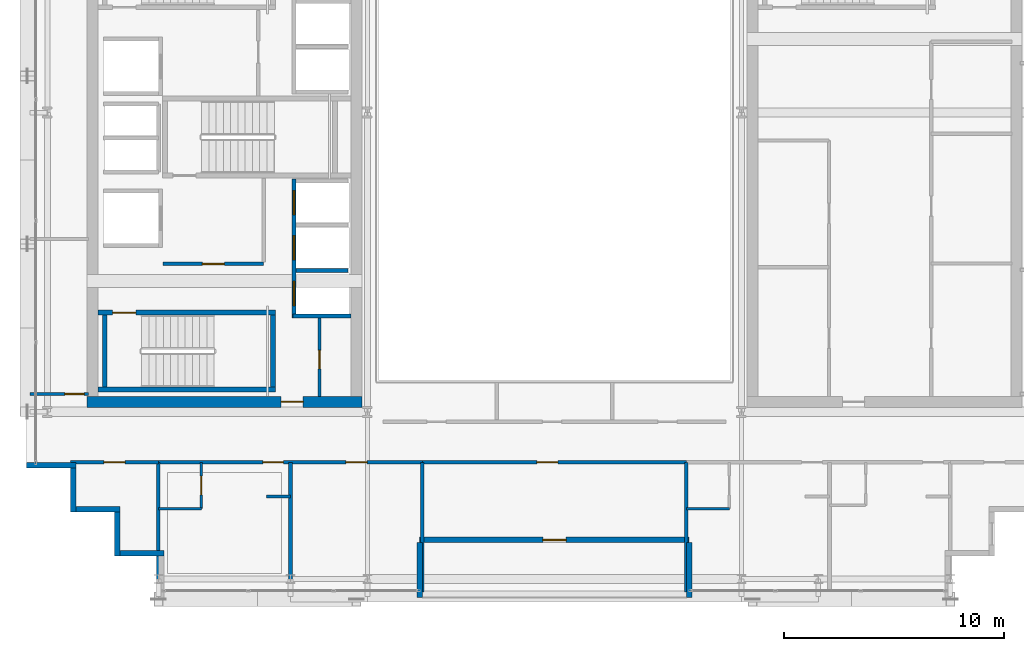
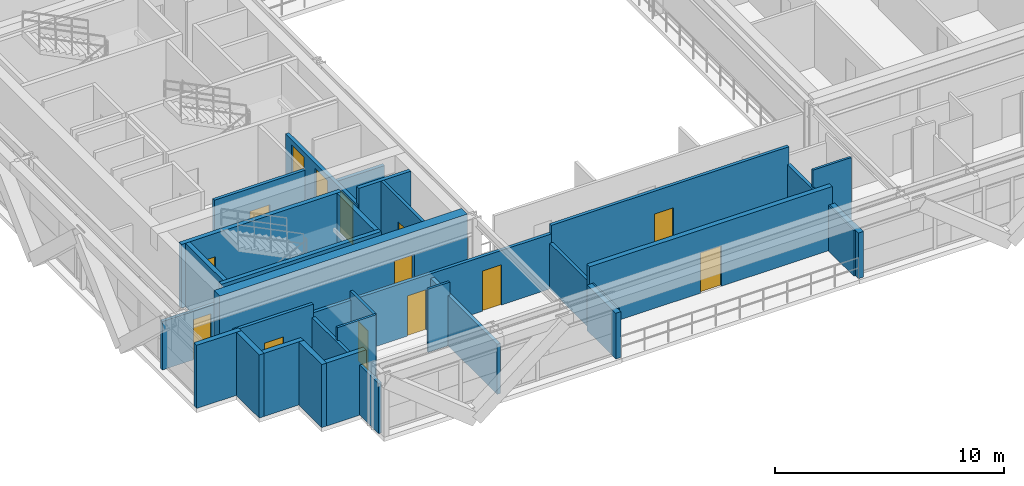
# One storey, part 24 of 32: 30 walls, 14 doors, 14 openings.
"""IFC4 building model written with IfcOpenShell, lengths in metres."""

from ifc_helpers import new_model, si_unit, direction, frame, frame_2d, origin, place, context, subcontext, project, spatial, rectangle, extrude, source, transform, mapped, material, layer, layer_set, type_object, element, fill, save


model = new_model("IFC4")

# Units and contexts
model_context = context("Model", 3, precision=1e-05, world=origin(), true_north=direction((0.0, 1.0)))
body_context = subcontext(model_context, "Body", "Model", "MODEL_VIEW")
ifc_project = project(units=[si_unit("LENGTHUNIT", "METRE"), si_unit("AREAUNIT", "SQUARE_METRE"), si_unit("VOLUMEUNIT", "CUBIC_METRE"), si_unit("PLANEANGLEUNIT", "RADIAN"), si_unit("MASSUNIT", "GRAM", prefix="KILO")], contexts=[model_context])

# Site, building, storey
site_placement = place(None, origin())
site = spatial("IfcSite", under=ifc_project, at=site_placement, CompositionType="ELEMENT")
building_placement = place(site_placement, origin())
building = spatial("IfcBuilding", under=site, at=building_placement, Name="Ocotamira Hotel", CompositionType="ELEMENT")
storey_placement = place(building_placement, frame((0.0, 0.0, 213.60009765625)))
storey = spatial("IfcBuildingStorey", under=building, at=storey_placement, Name="L54", CompositionType="ELEMENT", Elevation=213.60009765625)

# Wall, opening, door
ifc_material_1 = material(Name="Concrete C50/60", Category="concrete")
ifc_layer_1 = layer(ifc_material_1, 0.5)
ifc_layer_set_1 = layer_set([ifc_layer_1], Name="Concrete C50/60")
wall_type_1 = type_object("IfcWallType", Name="WL-CORE-500", PredefinedType="SHEAR", material=ifc_layer_set_1)
wall_1_placement = place(storey_placement, frame((10.75, 15.0, 0.0), z_axis=(0.0, 0.0, 1.0), x_axis=(1.0, 0.0, 0.0)))
wall_1 = element("IfcWall", 1, at=wall_1_placement, inside=storey, type_object=wall_type_1, Name="L54 Shear Core Wall WCORE-S", PredefinedType="SHEAR", context=body_context, shape_type="SweptSolid", body=[
    extrude(rectangle(XDim=12.5, YDim=0.5, at=frame_2d((6.25, 0.0))), origin(), (0.0, 0.0, 1.0), 3.369873046875),
])
opening_1_placement = place(wall_1_placement, frame((8.830078125, 0.0, 0.0)))
opening_1 = element("IfcOpeningElement", 2, at=opening_1_placement, cuts=wall_1, Name="Opening D-FR2", PredefinedType="OPENING", context=body_context, shape_type="SweptSolid", body=[
    extrude(rectangle(XDim=1.0, YDim=2.14990234375, at=frame_2d((0.5, 1.074951171875))), frame((0.0, 0.260009765625, 0.0), z_axis=(0.0, -1.0, 0.0), x_axis=(1.0, 0.0, 0.0)), (0.0, 0.0, 1.0), 0.52001953125),
])
ifc_material_2 = material(Name="Fire-rated acoustic timber-veneer door", Category="wood")
door_type_1 = type_object("IfcDoorType", Name="DR-FIRE-1000", OperationType="NOTDEFINED", PredefinedType="DOOR", material=ifc_material_2)
shared_shape_1 = source(origin(), body_context, "Body", "SweptSolid", [
    extrude(rectangle(XDim=1.0, YDim=2.14990234375, at=frame_2d((0.5, 1.074951171875))), frame((0.0, 0.02490234375, 0.0), z_axis=(0.0, -1.0, 0.0), x_axis=(1.0, 0.0, 0.0)), (0.0, 0.0, 1.0), 0.050048828125),
])
door_1_placement = place(opening_1_placement, origin())
door_1 = element("IfcDoor", 3, at=door_1_placement, inside=storey, type_object=door_type_1, Name="L54 Door ID-L54-WLOB-S-D [ID-L54-WLOB-S-D]", OperationType="SINGLE_SWING_LEFT", OverallHeight=2.14990234375, OverallWidth=1.0, PredefinedType="DOOR", context=body_context, shape_type="MappedRepresentation", body=[
    mapped(shared_shape_1, transform((0.0, 0.0, 0.0), scale=1.0)),
])
fill(opening_1, door_1)

# Walls
ifc_material_3 = material(Name="Precast concrete C45/55", Category="concrete")
ifc_layer_2 = layer(ifc_material_3, 0.25)
ifc_layer_set_2 = layer_set([ifc_layer_2], Name="Precast concrete C45/55")
wall_type_2 = type_object("IfcWallType", Name="WL-EXT-SER-250", PredefinedType="SOLIDWALL", material=ifc_layer_set_2)
wall_2_placement = place(storey_placement, frame((8.0, 12.125, 0.0), z_axis=(0.0, 0.0, 1.0), x_axis=(1.0, 0.0, 0.0)))
element("IfcWall", 4, at=wall_2_placement, inside=storey, type_object=wall_type_2, Name="L54 Serrated Corner Wall 19", PredefinedType="SOLIDWALL", context=body_context, shape_type="SweptSolid", body=[
    extrude(rectangle(XDim=2.25, YDim=0.25, at=frame_2d((1.125, 0.0))), origin(), (0.0, 0.0, 1.0), 3.369873046875),
])
for number, where, z_axis, x_axis, name in (
    (5, (10.125, 12.0, 0.0), (0.0, 0.0, 1.0), (0.0, -1.0, 0.0), "L54 Serrated Corner Wall 20"),
    (6, (10.25, 10.125, 0.0), (0.0, 0.0, 1.0), (1.0, 0.0, 0.0), "L54 Serrated Corner Wall 21"),
    (7, (12.125, 10.0, 0.0), (0.0, 0.0, 1.0), (0.0, -1.0, 0.0), "L54 Serrated Corner Wall 22"),
    (8, (12.25, 8.125, 0.0), (0.0, 0.0, 1.0), (1.0, 0.0, 0.0), "L54 Serrated Corner Wall 23"),
):
    element("IfcWall", number, at=place(storey_placement, frame(where, z_axis=z_axis, x_axis=x_axis)), inside=storey, type_object=wall_type_2, Name=name, PredefinedType="SOLIDWALL", context=body_context, shape_type="SweptSolid", body=[
        extrude(rectangle(XDim=2.0, YDim=0.25, at=frame_2d((1.0, 0.0))), origin(), (0.0, 0.0, 1.0), 3.369873046875),
    ])

# Wall, opening, door
wall_3_placement = place(storey_placement, frame((25.875, 8.72509765625, 0.0), z_axis=(0.0, 0.0, 1.0), x_axis=(1.0, 0.0, 0.0)))
wall_3 = element("IfcWall", 9, at=wall_3_placement, inside=storey, type_object=wall_type_2, Name="L54 Sky Terrace Back Wall 1", PredefinedType="SOLIDWALL", context=body_context, shape_type="SweptSolid", body=[
    extrude(rectangle(XDim=12.25, YDim=0.25, at=frame_2d((6.125, 0.0))), origin(), (0.0, 0.0, 1.0), 3.369873046875),
])
opening_2_placement = place(wall_3_placement, frame((5.60009765625, 0.0, 0.0)))
opening_2 = element("IfcOpeningElement", 10, at=opening_2_placement, cuts=wall_3, Name="Opening ED-3", PredefinedType="OPENING", context=body_context, shape_type="SweptSolid", body=[
    extrude(rectangle(XDim=1.050048828125, YDim=2.14990234375, at=frame_2d((0.52490234375, 1.074951171875))), frame((0.0, 0.135009765625, 0.0), z_axis=(0.0, -1.0, 0.0), x_axis=(1.0, 0.0, 0.0)), (0.0, 0.0, 1.0), 0.27001953125),
])
ifc_material_4 = material(Name="Thermally broken aluminium glazed door", Category="aluminium")
door_type_2 = type_object("IfcDoorType", Name="DR-TERR-1050", OperationType="NOTDEFINED", PredefinedType="DOOR", material=ifc_material_4)
shared_shape_2 = source(origin(), body_context, "Body", "SweptSolid", [
    extrude(rectangle(XDim=1.050048828125, YDim=2.14990234375, at=frame_2d((0.52490234375, 1.074951171875))), frame((0.0, 0.02490234375, 0.0), z_axis=(0.0, -1.0, 0.0), x_axis=(1.0, 0.0, 0.0)), (0.0, 0.0, 1.0), 0.050048828125),
])
door_2_placement = place(opening_2_placement, origin())
door_2 = element("IfcDoor", 11, at=door_2_placement, inside=storey, type_object=door_type_2, Name="L54 Sky Terrace Access Door 1 [ED-BAL-L54-1]", OperationType="SINGLE_SWING_RIGHT", OverallHeight=2.14990234375, OverallWidth=1.050048828125, PredefinedType="DOOR", context=body_context, shape_type="MappedRepresentation", body=[
    mapped(shared_shape_2, transform((0.0, 0.0, 0.0), scale=1.0)),
])
fill(opening_2, door_2)

# Walls
for number, where, z_axis, x_axis, name in (
    (12, (25.875, 6.10009765625, 0.0), (0.0, 0.0, 1.0), (0.0, 1.0, 0.0), "L54 Sky Terrace Return Wall 1L"),
    (13, (38.125, 6.10009765625, 0.0), (0.0, 0.0, 1.0), (0.0, 1.0, 0.0), "L54 Sky Terrace Return Wall 1R"),
):
    element("IfcWall", number, at=place(storey_placement, frame(where, z_axis=z_axis, x_axis=x_axis)), inside=storey, type_object=wall_type_2, Name=name, PredefinedType="SOLIDWALL", context=body_context, shape_type="SweptSolid", body=[
        extrude(rectangle(XDim=2.5, YDim=0.25, at=frame_2d((1.25, 0.0))), origin(), (0.0, 0.0, 1.0), 2.44287109375),
    ])

# Wall, opening, door
ifc_material_5 = material(Name="Acoustic double-layer fire gypsum board partition", Category="gypsum")
ifc_layer_3 = layer(ifc_material_5, 0.159912109375)
ifc_layer_set_3 = layer_set([ifc_layer_3], Name="Acoustic double-layer fire gypsum board partition")
wall_type_3 = type_object("IfcWallType", Name="WL-FIRE-160", PredefinedType="PARTITIONING", material=ifc_layer_set_3)
wall_4_placement = place(storey_placement, frame((14.199951171875, 21.27001953125, 0.0), z_axis=(0.0, 0.0, 1.0), x_axis=(1.0, 0.0, 0.0)))
wall_4 = element("IfcWall", 14, at=wall_4_placement, inside=storey, type_object=wall_type_3, Name="L54 Interior Wall PW-L54-FSAE1-S", PredefinedType="PARTITIONING", context=body_context, shape_type="SweptSolid", body=[
    extrude(rectangle(XDim=4.580078125, YDim=0.159912109375, at=frame_2d((2.2900390625, 0.0))), origin(), (0.0, 0.0, 1.0), 3.369873046875),
])
opening_3_placement = place(wall_4_placement, frame((1.800048828125, 0.0, 0.0)))
opening_3 = element("IfcOpeningElement", 15, at=opening_3_placement, cuts=wall_4, Name="Opening D-FR2", PredefinedType="OPENING", context=body_context, shape_type="SweptSolid", body=[
    extrude(rectangle(XDim=1.0, YDim=2.14990234375, at=frame_2d((0.5, 1.074951171875))), frame((0.0, 0.08984375, 0.0), z_axis=(0.0, -1.0, 0.0), x_axis=(1.0, 0.0, 0.0)), (0.0, 0.0, 1.0), 0.179931640625),
])
door_3_placement = place(opening_3_placement, origin())
door_3 = element("IfcDoor", 16, at=door_3_placement, inside=storey, type_object=door_type_1, Name="L54 Door ID-L54-FSAE1-D [ID-L54-FSAE1-D]", OperationType="SINGLE_SWING_LEFT", OverallHeight=2.14990234375, OverallWidth=1.0, PredefinedType="DOOR", context=body_context, shape_type="MappedRepresentation", body=[
    mapped(shared_shape_1, transform((0.0, 0.0, 0.0), scale=1.0)),
])
fill(opening_3, door_3)

wall_5_placement = place(storey_placement, frame((10.0, 12.25, 0.0), z_axis=(0.0, 0.0, 1.0), x_axis=(1.0, 0.0, 0.0)))
wall_5 = element("IfcWall", 17, at=wall_5_placement, inside=storey, type_object=wall_type_3, Name="L54 Interior Wall PW-L54-Z3F-CSW-CW", PredefinedType="PARTITIONING", context=body_context, shape_type="SweptSolid", body=[
    extrude(rectangle(XDim=4.0, YDim=0.159912109375, at=frame_2d((2.0, 0.0))), origin(), (0.0, 0.0, 1.0), 3.369873046875),
])
opening_4_placement = place(wall_5_placement, frame((1.52001953125, 0.0, 0.0)))
opening_4 = element("IfcOpeningElement", 18, at=opening_4_placement, cuts=wall_5, Name="Opening D-SV4", PredefinedType="OPENING", context=body_context, shape_type="SweptSolid", body=[
    extrude(rectangle(XDim=0.9599609375, YDim=2.14990234375, at=frame_2d((0.47998046875, 1.074951171875))), frame((0.0, 0.08984375, 0.0), z_axis=(0.0, -1.0, 0.0), x_axis=(1.0, 0.0, 0.0)), (0.0, 0.0, 1.0), 0.179931640625),
])
ifc_material_6 = material(Name="Fire-rated accessible walnut salon door", Category="wood")
door_type_3 = type_object("IfcDoorType", Name="DR-SERV-960", OperationType="NOTDEFINED", PredefinedType="DOOR", material=ifc_material_6)
shared_shape_3 = source(origin(), body_context, "Body", "SweptSolid", [
    extrude(rectangle(XDim=0.9599609375, YDim=2.14990234375, at=frame_2d((0.47998046875, 1.074951171875))), frame((0.0, 0.02490234375, 0.0), z_axis=(0.0, -1.0, 0.0), x_axis=(1.0, 0.0, 0.0)), (0.0, 0.0, 1.0), 0.050048828125),
])
door_4_placement = place(opening_4_placement, origin())
door_4 = element("IfcDoor", 19, at=door_4_placement, inside=storey, type_object=door_type_3, Name="L54 Door ID-L54-Z3F-CSW-CD [ID-L54-Z3F-CSW-CD]", OperationType="SINGLE_SWING_LEFT", OverallHeight=2.14990234375, OverallWidth=0.9599609375, PredefinedType="DOOR", context=body_context, shape_type="MappedRepresentation", body=[
    mapped(shared_shape_3, transform((0.0, 0.0, 0.0), scale=1.0)),
])
fill(opening_4, door_4)

# Wall, openings, doors
wall_6_placement = place(storey_placement, frame((14.0, 12.25, 0.0), z_axis=(0.0, 0.0, 1.0), x_axis=(1.0, 0.0, 0.0)))
wall_6 = element("IfcWall", 20, at=wall_6_placement, inside=storey, type_object=wall_type_3, Name="L54 Interior Wall PW-L54-Z3FSW-CORRW", PredefinedType="PARTITIONING", context=body_context, shape_type="SweptSolid", body=[
    extrude(rectangle(XDim=12.0, YDim=0.159912109375, at=frame_2d((6.0, 0.0))), origin(), (0.0, 0.0, 1.0), 2.912841796875),
])
opening_5_placement = place(wall_6_placement, frame((4.739990234375, 0.0, 0.0)))
opening_5 = element("IfcOpeningElement", 21, at=opening_5_placement, cuts=wall_6, Name="Opening D-GR1", PredefinedType="OPENING", context=body_context, shape_type="SweptSolid", body=[
    extrude(rectangle(XDim=0.93994140625, YDim=2.14990234375, at=frame_2d((0.469970703125, 1.074951171875))), frame((0.0, 0.08984375, 0.0), z_axis=(0.0, -1.0, 0.0), x_axis=(1.0, 0.0, 0.0)), (0.0, 0.0, 1.0), 0.179931640625),
])
opening_6_placement = place(wall_6_placement, frame((8.52001953125, 0.0, 0.0)))
opening_6 = element("IfcOpeningElement", 22, at=opening_6_placement, cuts=wall_6, Name="Opening D-SV4", PredefinedType="OPENING", context=body_context, shape_type="SweptSolid", body=[
    extrude(rectangle(XDim=0.9599609375, YDim=2.14990234375, at=frame_2d((0.47998046875, 1.074951171875))), frame((0.0, 0.08984375, 0.0), z_axis=(0.0, -1.0, 0.0), x_axis=(1.0, 0.0, 0.0)), (0.0, 0.0, 1.0), 0.179931640625),
])
door_5_placement = place(opening_6_placement, origin())
door_5 = element("IfcDoor", 23, at=door_5_placement, inside=storey, type_object=door_type_3, Name="L54 Door ID-L54-Z3FSW-AMD2 [ID-L54-Z3FSW-AMD2]", OperationType="SINGLE_SWING_RIGHT", OverallHeight=2.14990234375, OverallWidth=0.9599609375, PredefinedType="DOOR", context=body_context, shape_type="MappedRepresentation", body=[
    mapped(shared_shape_3, transform((0.0, 0.0, 0.0), scale=1.0)),
])
fill(opening_6, door_5)
ifc_material_7 = material(Name="Solid-core walnut suite entrance fire door", Category="wood")
door_type_4 = type_object("IfcDoorType", Name="DR-GUEST-940", OperationType="NOTDEFINED", PredefinedType="DOOR", material=ifc_material_7)
shared_shape_4 = source(origin(), body_context, "Body", "SweptSolid", [
    extrude(rectangle(XDim=0.93994140625, YDim=2.14990234375, at=frame_2d((0.469970703125, 1.074951171875))), frame((0.0, 0.02490234375, 0.0), z_axis=(0.0, -1.0, 0.0), x_axis=(1.0, 0.0, 0.0)), (0.0, 0.0, 1.0), 0.050048828125),
])
door_6_placement = place(opening_5_placement, origin())
door_6 = element("IfcDoor", 24, at=door_6_placement, inside=storey, type_object=door_type_4, Name="L54 Door ID-L54-Z3FSW-RMD1 [ID-L54-Z3FSW-RMD1]", OperationType="SINGLE_SWING_LEFT", OverallHeight=2.14990234375, OverallWidth=0.93994140625, PredefinedType="DOOR", context=body_context, shape_type="MappedRepresentation", body=[
    mapped(shared_shape_4, transform((0.0, 0.0, 0.0), scale=1.0)),
])
fill(opening_5, door_6)

# Wall, opening, door
wall_7_placement = place(storey_placement, frame((26.0, 12.25, 0.0), z_axis=(0.0, 0.0, 1.0), x_axis=(1.0, 0.0, 0.0)))
wall_7 = element("IfcWall", 25, at=wall_7_placement, inside=storey, type_object=wall_type_3, Name="L54 Interior Wall PW-L54-Z3F-TSALN", PredefinedType="PARTITIONING", context=body_context, shape_type="SweptSolid", body=[
    extrude(rectangle(XDim=12.0, YDim=0.159912109375, at=frame_2d((6.0, 0.0))), origin(), (0.0, 0.0, 1.0), 3.369873046875),
])
opening_7_placement = place(wall_7_placement, frame((5.199951171875, 0.0, 0.0)))
opening_7 = element("IfcOpeningElement", 26, at=opening_7_placement, cuts=wall_7, Name="Opening D-SV4", PredefinedType="OPENING", context=body_context, shape_type="SweptSolid", body=[
    extrude(rectangle(XDim=0.9599609375, YDim=2.14990234375, at=frame_2d((0.47998046875, 1.074951171875))), frame((0.0, 0.08984375, 0.0), z_axis=(0.0, -1.0, 0.0), x_axis=(1.0, 0.0, 0.0)), (0.0, 0.0, 1.0), 0.179931640625),
])
door_7_placement = place(opening_7_placement, origin())
door_7 = element("IfcDoor", 27, at=door_7_placement, inside=storey, type_object=door_type_3, Name="L54 Door ID-L54-Z3F-TSALD [ID-L54-Z3F-TSALD]", OperationType="SINGLE_SWING_LEFT", OverallHeight=2.14990234375, OverallWidth=0.9599609375, PredefinedType="DOOR", context=body_context, shape_type="MappedRepresentation", body=[
    mapped(shared_shape_3, transform((0.0, 0.0, 0.0), scale=1.0)),
])
fill(opening_7, door_7)

ifc_material_8 = material(Name="Moisture-resistant en-suite tile and gypsum partition", Category="gypsum")
ifc_layer_4 = layer(ifc_material_8, 0.1201171875)
ifc_layer_set_4 = layer_set([ifc_layer_4], Name="Moisture-resistant en-suite tile and gypsum partition")
wall_type_4 = type_object("IfcWallType", Name="WL-PART-120", PredefinedType="PARTITIONING", material=ifc_layer_set_4)
wall_8_placement = place(storey_placement, frame((15.949951171875, 10.14990234375, 0.0), z_axis=(0.0, 0.0, 1.0), x_axis=(0.0, 1.0, 0.0)))
wall_8 = element("IfcWall", 28, at=wall_8_placement, inside=storey, type_object=wall_type_4, Name="L54 Interior Wall PW-L54-Z3FSW-BAE1", PredefinedType="PARTITIONING", context=body_context, shape_type="SweptSolid", body=[
    extrude(rectangle(XDim=2.10009765625, YDim=0.1201171875, at=frame_2d((1.050048828125, 0.0))), origin(), (0.0, 0.0, 1.0), 3.369873046875),
])
opening_8_placement = place(wall_8_placement, frame((0.6201171875, 0.0, 0.0)))
opening_8 = element("IfcOpeningElement", 29, at=opening_8_placement, cuts=wall_8, Name="Opening D-BA1", PredefinedType="OPENING", context=body_context, shape_type="SweptSolid", body=[
    extrude(rectangle(XDim=0.860107421875, YDim=2.10009765625, at=frame_2d((0.43017578125, 1.050048828125))), frame((0.0, 0.070068359375, 0.0), z_axis=(0.0, -1.0, 0.0), x_axis=(1.0, 0.0, 0.0)), (0.0, 0.0, 1.0), 0.14013671875),
])
ifc_material_9 = material(Name="Moisture-sealed en-suite timber door", Category="wood")
door_type_5 = type_object("IfcDoorType", Name="DR-BATH-860", OperationType="NOTDEFINED", PredefinedType="DOOR", material=ifc_material_9)
shared_shape_5 = source(origin(), body_context, "Body", "SweptSolid", [
    extrude(rectangle(XDim=0.860107421875, YDim=2.10009765625, at=frame_2d((0.43017578125, 1.050048828125))), frame((0.0, 0.02490234375, 0.0), z_axis=(0.0, -1.0, 0.0), x_axis=(1.0, 0.0, 0.0)), (0.0, 0.0, 1.0), 0.050048828125),
])
door_8_placement = place(opening_8_placement, origin())
door_8 = element("IfcDoor", 30, at=door_8_placement, inside=storey, type_object=door_type_5, Name="L54 Door ID-L54-Z3FSW-BAD1 [ID-L54-Z3FSW-BAD1]", OperationType="SINGLE_SWING_RIGHT", OverallHeight=2.10009765625, OverallWidth=0.860107421875, PredefinedType="DOOR", context=body_context, shape_type="MappedRepresentation", body=[
    mapped(shared_shape_5, transform((0.0, 0.0, 0.0), scale=1.0)),
])
fill(opening_8, door_8)

# Walls
wall_9_placement = place(storey_placement, frame((14.0, 10.14990234375, 0.0), z_axis=(0.0, 0.0, 1.0), x_axis=(1.0, 0.0, 0.0)))
element("IfcWall", 31, at=wall_9_placement, inside=storey, type_object=wall_type_4, Name="L54 Interior Wall PW-L54-Z3FSW-BAS1", PredefinedType="PARTITIONING", context=body_context, shape_type="SweptSolid", body=[
    extrude(rectangle(XDim=1.949951171875, YDim=0.1201171875, at=frame_2d((0.97509765625, 0.0))), origin(), (0.0, 0.0, 1.0), 3.369873046875),
])
wall_10_placement = place(storey_placement, frame((18.89990234375, 10.699951171875, 0.0), z_axis=(0.0, 0.0, 1.0), x_axis=(1.0, 0.0, 0.0)))
element("IfcWall", 32, at=wall_10_placement, inside=storey, type_object=wall_type_4, Name="L54 Interior Wall PW-L54-Z3FSW-DRN1", PredefinedType="PARTITIONING", context=body_context, shape_type="SweptSolid", body=[
    extrude(rectangle(XDim=1.10009765625, YDim=0.1201171875, at=frame_2d((0.550048828125, 0.0))), origin(), (0.0, 0.0, 1.0), 3.369873046875),
])
wall_11_placement = place(storey_placement, frame((38.0, 10.14990234375, 0.0), z_axis=(0.0, 0.0, 1.0), x_axis=(1.0, 0.0, 0.0)))
element("IfcWall", 33, at=wall_11_placement, inside=storey, type_object=wall_type_4, Name="L54 Interior Wall PW-L54-Z3FSE-BAS1", PredefinedType="PARTITIONING", context=body_context, shape_type="SweptSolid", body=[
    extrude(rectangle(XDim=1.949951171875, YDim=0.1201171875, at=frame_2d((0.97509765625, 0.0))), origin(), (0.0, 0.0, 1.0), 3.369873046875),
])

# Wall, opening, door
ifc_material_10 = material(Name="Acoustic hospitality gypsum board partition", Category="gypsum")
ifc_layer_5 = layer(ifc_material_10, 0.14208984375)
ifc_layer_set_5 = layer_set([ifc_layer_5], Name="Acoustic hospitality gypsum board partition")
wall_type_5 = type_object("IfcWallType", Name="WL-PART-142", PredefinedType="PARTITIONING", material=ifc_layer_set_5)
wall_12_placement = place(storey_placement, frame((21.320068359375, 15.25, 0.0), z_axis=(0.0, 0.0, 1.0), x_axis=(0.0, 1.0, 0.0)))
wall_12 = element("IfcWall", 34, at=wall_12_placement, inside=storey, type_object=wall_type_5, Name="L54 Interior Wall PW-L54-WC-SE-W", PredefinedType="PARTITIONING", context=body_context, shape_type="SweptSolid", body=[
    extrude(rectangle(XDim=3.590087890625, YDim=0.14208984375, at=frame_2d((1.794921875, 0.0))), origin(), (0.0, 0.0, 1.0), 3.369873046875),
])
opening_9_placement = place(wall_12_placement, frame((1.25, 0.0, 0.0)))
opening_9 = element("IfcOpeningElement", 35, at=opening_9_placement, cuts=wall_12, Name="Opening D-SV1", PredefinedType="OPENING", context=body_context, shape_type="SweptSolid", body=[
    extrude(rectangle(XDim=0.840087890625, YDim=2.10009765625, at=frame_2d((0.419921875, 1.050048828125))), frame((0.0, 0.0810546875, 0.0), z_axis=(0.0, -1.0, 0.0), x_axis=(1.0, 0.0, 0.0)), (0.0, 0.0, 1.0), 0.162109375),
])
ifc_material_11 = material(Name="Fire-rated painted steel service door", Category="steel")
door_type_6 = type_object("IfcDoorType", Name="DR-SERV-840", OperationType="NOTDEFINED", PredefinedType="DOOR", material=ifc_material_11)
shared_shape_6 = source(origin(), body_context, "Body", "SweptSolid", [
    extrude(rectangle(XDim=0.840087890625, YDim=2.10009765625, at=frame_2d((0.419921875, 1.050048828125))), frame((0.0, 0.02490234375, 0.0), z_axis=(0.0, -1.0, 0.0), x_axis=(1.0, 0.0, 0.0)), (0.0, 0.0, 1.0), 0.050048828125),
])
door_9_placement = place(opening_9_placement, origin())
door_9 = element("IfcDoor", 36, at=door_9_placement, inside=storey, type_object=door_type_6, Name="L54 Door ID-L54-WC-SE-D [ID-L54-WC-SE-D]", OperationType="SINGLE_SWING_RIGHT", OverallHeight=2.10009765625, OverallWidth=0.840087890625, PredefinedType="DOOR", context=body_context, shape_type="MappedRepresentation", body=[
    mapped(shared_shape_6, transform((0.0, 0.0, 0.0), scale=1.0)),
])
fill(opening_9, door_9)

ifc_layer_6 = layer(ifc_material_10, 0.14990234375)
ifc_layer_set_6 = layer_set([ifc_layer_6], Name="Acoustic hospitality gypsum board partition")
wall_type_6 = type_object("IfcWallType", Name="WL-PART-150", PredefinedType="PARTITIONING", material=ifc_layer_set_6)
wall_13_placement = place(storey_placement, frame((8.159912109375, 15.360107421875, 0.0), z_axis=(0.0, 0.0, 1.0), x_axis=(1.0, 0.0, 0.0)))
wall_13 = element("IfcWall", 37, at=wall_13_placement, inside=storey, type_object=wall_type_6, Name="L54 Interior Wall PW-L54-Z3F-WF-WS", PredefinedType="PARTITIONING", context=body_context, shape_type="SweptSolid", body=[
    extrude(rectangle(XDim=2.66015625, YDim=0.14990234375, at=frame_2d((1.330078125, 0.0))), origin(), (0.0, 0.0, 1.0), 2.5908203125),
])
opening_10_placement = place(wall_13_placement, frame((1.580078125, 0.0, 0.0)))
opening_10 = element("IfcOpeningElement", 38, at=opening_10_placement, cuts=wall_13, Name="Opening D-SV2", PredefinedType="OPENING", context=body_context, shape_type="SweptSolid", body=[
    extrude(rectangle(XDim=0.8798828125, YDim=2.14990234375, at=frame_2d((0.43994140625, 1.074951171875))), frame((0.0, 0.0849609375, 0.0), z_axis=(0.0, -1.0, 0.0), x_axis=(1.0, 0.0, 0.0)), (0.0, 0.0, 1.0), 0.169921875),
])
door_type_7 = type_object("IfcDoorType", Name="DR-SERV-880", OperationType="NOTDEFINED", PredefinedType="DOOR", material=ifc_material_11)
shared_shape_7 = source(origin(), body_context, "Body", "SweptSolid", [
    extrude(rectangle(XDim=0.8798828125, YDim=2.14990234375, at=frame_2d((0.43994140625, 1.074951171875))), frame((0.0, 0.02490234375, 0.0), z_axis=(0.0, -1.0, 0.0), x_axis=(1.0, 0.0, 0.0)), (0.0, 0.0, 1.0), 0.050048828125),
])
door_10_placement = place(opening_10_placement, origin())
door_10 = element("IfcDoor", 39, at=door_10_placement, inside=storey, type_object=door_type_7, Name="L54 Door ID-L54-Z3F-WF-DS [ID-L54-Z3F-WF-DS]", OperationType="SINGLE_SWING_LEFT", OverallHeight=2.14990234375, OverallWidth=0.8798828125, PredefinedType="DOOR", context=body_context, shape_type="MappedRepresentation", body=[
    mapped(shared_shape_7, transform((0.0, 0.0, 0.0), scale=1.0)),
])
fill(opening_10, door_10)

# Walls
ifc_material_12 = material(Name="Acoustic double-stud hospitality gypsum partition", Category="gypsum")
ifc_layer_7 = layer(ifc_material_12, 0.159912109375)
ifc_layer_set_7 = layer_set([ifc_layer_7], Name="Acoustic double-stud hospitality gypsum partition")
wall_type_7 = type_object("IfcWallType", Name="WL-PART-160", PredefinedType="PARTITIONING", material=ifc_layer_set_7)
wall_14_placement = place(storey_placement, frame((14.0, 6.360107421875, 0.0), z_axis=(0.0, 0.0, 1.0), x_axis=(0.0, 1.0, 0.0)))
element("IfcWall", 40, at=wall_14_placement, inside=storey, type_object=wall_type_7, Name="L54 Interior Wall PW-L54-Z3FSW-PW0", PredefinedType="PARTITIONING", context=body_context, shape_type="SweptSolid", body=[
    extrude(rectangle(XDim=5.889892578125, YDim=0.159912109375, at=frame_2d((2.94482421875, 0.0))), origin(), (0.0, 0.0, 1.0), 2.677001953125),
])
for number, where, z_axis, x_axis, name in (
    (41, (26.0, 6.360107421875, 0.0), (0.0, 0.0, 1.0), (0.0, 1.0, 0.0), "L54 Interior Wall PW-L54-Z3FSW-PWEND"),
    (42, (38.0, 6.360107421875, 0.0), (0.0, 0.0, 1.0), (0.0, 1.0, 0.0), "L54 Interior Wall PW-L54-Z3FSE-PW0"),
):
    element("IfcWall", number, at=place(storey_placement, frame(where, z_axis=z_axis, x_axis=x_axis)), inside=storey, type_object=wall_type_7, Name=name, PredefinedType="PARTITIONING", context=body_context, shape_type="SweptSolid", body=[
        extrude(rectangle(XDim=5.889892578125, YDim=0.159912109375, at=frame_2d((2.94482421875, 0.0))), origin(), (0.0, 0.0, 1.0), 2.44287109375),
    ])
ifc_material_13 = material(Name="Double-stud suite party gypsum partition", Category="gypsum")
ifc_layer_8 = layer(ifc_material_13, 0.175048828125)
ifc_layer_set_8 = layer_set([ifc_layer_8], Name="Double-stud suite party gypsum partition")
wall_type_8 = type_object("IfcWallType", Name="WL-PART-175", PredefinedType="PARTITIONING", material=ifc_layer_set_8)
wall_15_placement = place(storey_placement, frame((20.0, 6.360107421875, 0.0), z_axis=(0.0, 0.0, 1.0), x_axis=(0.0, 1.0, 0.0)))
element("IfcWall", 43, at=wall_15_placement, inside=storey, type_object=wall_type_8, Name="L54 Interior Wall PW-L54-Z3FSW-PW1", PredefinedType="PARTITIONING", context=body_context, shape_type="SweptSolid", body=[
    extrude(rectangle(XDim=5.889892578125, YDim=0.175048828125, at=frame_2d((2.94482421875, 0.0))), origin(), (0.0, 0.0, 1.0), 2.677001953125),
])

# Wall, openings, doors
ifc_material_14 = material(Name="Fire-rated gypsum shaftliner board assembly", Category="gypsum")
ifc_layer_9 = layer(ifc_material_14, 0.179931640625)
ifc_layer_set_9 = layer_set([ifc_layer_9], Name="Fire-rated gypsum shaftliner board assembly")
wall_type_9 = type_object("IfcWallType", Name="WL-SHAFT-180", PredefinedType="SOLIDWALL", material=ifc_layer_set_9)
wall_16_placement = place(storey_placement, frame((20.159912109375, 18.820068359375, 0.0), z_axis=(0.0, 0.0, 1.0), x_axis=(0.0, 1.0, 0.0)))
wall_16 = element("IfcWall", 44, at=wall_16_placement, inside=storey, type_object=wall_type_9, Name="L54 Interior Wall PW-L54-LFW-BANK-high-F", PredefinedType="SOLIDWALL", context=body_context, shape_type="SweptSolid", body=[
    extrude(rectangle(XDim=6.31982421875, YDim=0.179931640625, at=frame_2d((3.159912109375, 0.0))), origin(), (0.0, 0.0, 1.0), 2.469970703125),
])
opening_11_placement = place(wall_16_placement, frame((0.554931640625, 0.0, 0.0)))
opening_11 = element("IfcOpeningElement", 45, at=opening_11_placement, cuts=wall_16, Name="Opening LD-LF-P7", PredefinedType="OPENING", context=body_context, shape_type="SweptSolid", body=[
    extrude(rectangle(XDim=1.10009765625, YDim=2.199951171875, at=frame_2d((0.550048828125, 1.10009765625))), frame((0.0, 0.10009765625, 0.0), z_axis=(0.0, -1.0, 0.0), x_axis=(1.0, 0.0, 0.0)), (0.0, 0.0, 1.0), 0.199951171875),
])
opening_12_placement = place(wall_16_placement, frame((2.635009765625, 0.0, 0.0)))
opening_12 = element("IfcOpeningElement", 46, at=opening_12_placement, cuts=wall_16, Name="Opening LD-LF-P8", PredefinedType="OPENING", context=body_context, shape_type="SweptSolid", body=[
    extrude(rectangle(XDim=1.10009765625, YDim=2.199951171875, at=frame_2d((0.550048828125, 1.10009765625))), frame((0.0, 0.10009765625, 0.0), z_axis=(0.0, -1.0, 0.0), x_axis=(1.0, 0.0, 0.0)), (0.0, 0.0, 1.0), 0.199951171875),
])
opening_13_placement = place(wall_16_placement, frame((4.68994140625, 0.0, 0.0)))
opening_13 = element("IfcOpeningElement", 47, at=opening_13_placement, cuts=wall_16, Name="Opening LD-LF-P9", PredefinedType="OPENING", context=body_context, shape_type="SweptSolid", body=[
    extrude(rectangle(XDim=1.10009765625, YDim=2.199951171875, at=frame_2d((0.550048828125, 1.10009765625))), frame((0.0, 0.10009765625, 0.0), z_axis=(0.0, -1.0, 0.0), x_axis=(1.0, 0.0, 0.0)), (0.0, 0.0, 1.0), 0.199951171875),
])
ifc_material_15 = material(Name="Brushed pale-metal stainless elevator landing door", Category="steel")
door_type_8 = type_object("IfcDoorType", Name="DR-LIFT-1100", OperationType="NOTDEFINED", PredefinedType="DOOR", material=ifc_material_15)
shared_shape_8 = source(origin(), body_context, "Body", "SweptSolid", [
    extrude(rectangle(XDim=1.10009765625, YDim=2.199951171875, at=frame_2d((0.550048828125, 1.10009765625))), frame((0.0, 0.02490234375, 0.0), z_axis=(0.0, -1.0, 0.0), x_axis=(1.0, 0.0, 0.0)), (0.0, 0.0, 1.0), 0.050048828125),
])
door_11_placement = place(opening_11_placement, origin())
door_11 = element("IfcDoor", 48, at=door_11_placement, inside=storey, type_object=door_type_8, Name="L54 Landing Door LD-LF-P7 [ID-L54-LD-LF-P7]", OperationType="DOUBLE_DOOR_SLIDING", OverallHeight=2.199951171875, OverallWidth=1.10009765625, PredefinedType="DOOR", context=body_context, shape_type="MappedRepresentation", body=[
    mapped(shared_shape_8, transform((0.0, 0.0, 0.0), scale=1.0)),
])
fill(opening_11, door_11)
door_12_placement = place(opening_12_placement, origin())
door_12 = element("IfcDoor", 49, at=door_12_placement, inside=storey, type_object=door_type_8, Name="L54 Landing Door LD-LF-P8 [ID-L54-LD-LF-P8]", OperationType="DOUBLE_DOOR_SLIDING", OverallHeight=2.199951171875, OverallWidth=1.10009765625, PredefinedType="DOOR", context=body_context, shape_type="MappedRepresentation", body=[
    mapped(shared_shape_8, transform((0.0, 0.0, 0.0), scale=1.0)),
])
fill(opening_12, door_12)
door_13_placement = place(opening_13_placement, origin())
door_13 = element("IfcDoor", 50, at=door_13_placement, inside=storey, type_object=door_type_8, Name="L54 Landing Door LD-LF-P9 [ID-L54-LD-LF-P9]", OperationType="DOUBLE_DOOR_SLIDING", OverallHeight=2.199951171875, OverallWidth=1.10009765625, PredefinedType="DOOR", context=body_context, shape_type="MappedRepresentation", body=[
    mapped(shared_shape_8, transform((0.0, 0.0, 0.0), scale=1.0)),
])
fill(opening_13, door_13)

# Walls
wall_17_placement = place(storey_placement, frame((20.1201171875, 18.909912109375, 0.0), z_axis=(0.0, 0.0, 1.0), x_axis=(1.0, 0.0, 0.0)))
element("IfcWall", 51, at=wall_17_placement, inside=storey, type_object=wall_type_9, Name="L54 Interior Wall PW-L54-LFW-BANK-high-S", PredefinedType="SOLIDWALL", context=body_context, shape_type="SweptSolid", body=[
    extrude(rectangle(XDim=2.6298828125, YDim=0.179931640625, at=frame_2d((1.31494140625, 0.0))), origin(), (0.0, 0.0, 1.0), 3.369873046875),
])
wall_18_placement = place(storey_placement, frame((20.25, 20.965087890625, 0.0), z_axis=(0.0, 0.0, 1.0), x_axis=(1.0, 0.0, 0.0)))
element("IfcWall", 52, at=wall_18_placement, inside=storey, type_object=wall_type_9, Name="L54 Interior Wall PW-L54-LFW-DIV-LF-P7", PredefinedType="SOLIDWALL", context=body_context, shape_type="SweptSolid", body=[
    extrude(rectangle(XDim=2.360107421875, YDim=0.179931640625, at=frame_2d((1.18017578125, 0.0))), origin(), (0.0, 0.0, 1.0), 2.469970703125),
])
ifc_layer_10 = layer(ifc_material_1, 0.219970703125)
ifc_layer_set_10 = layer_set([ifc_layer_10], Name="Concrete C50/60")
wall_type_10 = type_object("IfcWallType", Name="WL-STAIR-220", PredefinedType="SHEAR", material=ifc_layer_set_10)
wall_19_placement = place(storey_placement, frame((11.25, 15.56005859375, 0.0), z_axis=(0.0, 0.0, 1.0), x_axis=(1.0, 0.0, 0.0)))
element("IfcWall", 53, at=wall_19_placement, inside=storey, type_object=wall_type_10, Name="L54 Stair Shaft Structural Wall ST-1-S", PredefinedType="SHEAR", context=body_context, shape_type="SweptSolid", body=[
    extrude(rectangle(XDim=8.06005859375, YDim=0.219970703125, at=frame_2d((4.030029296875, 0.0))), origin(), (0.0, 0.0, 1.0), 3.39990234375),
])

# Wall, opening, door
wall_20_placement = place(storey_placement, frame((11.25, 19.06005859375, 0.0), z_axis=(0.0, 0.0, 1.0), x_axis=(1.0, 0.0, 0.0)))
wall_20 = element("IfcWall", 54, at=wall_20_placement, inside=storey, type_object=wall_type_10, Name="L54 Stair Shaft Structural Wall ST-1-N", PredefinedType="SHEAR", context=body_context, shape_type="SweptSolid", body=[
    extrude(rectangle(XDim=8.06005859375, YDim=0.219970703125, at=frame_2d((4.030029296875, 0.0))), origin(), (0.0, 0.0, 1.0), 3.39990234375),
])
opening_14_placement = place(wall_20_placement, frame((0.669921875, 0.0, 0.0)))
opening_14 = element("IfcOpeningElement", 55, at=opening_14_placement, cuts=wall_20, Name="Opening D-ST2", PredefinedType="OPENING", context=body_context, shape_type="SweptSolid", body=[
    extrude(rectangle(XDim=1.050048828125, YDim=2.14990234375, at=frame_2d((0.52490234375, 1.074951171875))), frame((0.0, 0.1201171875, 0.0), z_axis=(0.0, -1.0, 0.0), x_axis=(1.0, 0.0, 0.0)), (0.0, 0.0, 1.0), 0.239990234375),
])
ifc_material_16 = material(Name="Insulated painted hollow-metal fire exit door", Category="steel")
door_type_9 = type_object("IfcDoorType", Name="DR-STAIR-1050", OperationType="NOTDEFINED", PredefinedType="DOOR", material=ifc_material_16)
door_14_placement = place(opening_14_placement, origin())
door_14 = element("IfcDoor", 56, at=door_14_placement, inside=storey, type_object=door_type_9, Name="L54 Door ID-L54-STD-ST-1 [ID-L54-STD-ST-1]", OperationType="SINGLE_SWING_LEFT", OverallHeight=2.14990234375, OverallWidth=1.050048828125, PredefinedType="DOOR", context=body_context, shape_type="MappedRepresentation", body=[
    mapped(shared_shape_2, transform((0.0, 0.0, 0.0), scale=1.0)),
])
fill(opening_14, door_14)

# Walls
for number, where, z_axis, x_axis, name in (
    (57, (11.56005859375, 15.669921875, 0.0), (0.0, 0.0, 1.0), (0.0, 1.0, 0.0), "L54 Stair Shaft Structural Wall ST-1-W"),
    (58, (19.199951171875, 15.669921875, 0.0), (0.0, 0.0, 1.0), (0.0, 1.0, 0.0), "L54 Stair Shaft Structural Wall ST-1-E"),
):
    element("IfcWall", number, at=place(storey_placement, frame(where, z_axis=z_axis, x_axis=x_axis)), inside=storey, type_object=wall_type_10, Name=name, PredefinedType="SHEAR", context=body_context, shape_type="SweptSolid", body=[
        extrude(rectangle(XDim=3.280029296875, YDim=0.219970703125, at=frame_2d((1.64013671875, 0.0))), origin(), (0.0, 0.0, 1.0), 3.39990234375),
    ])

save(model, "model.ifc")
